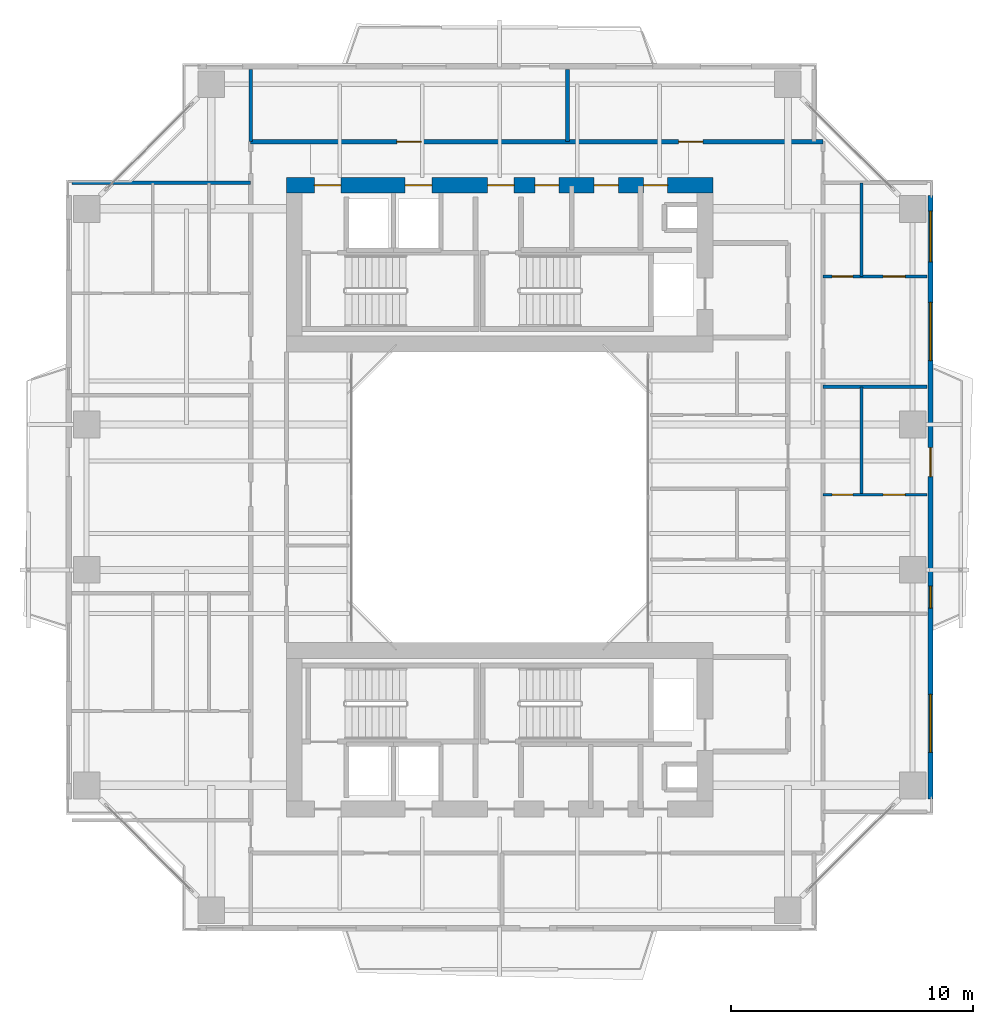
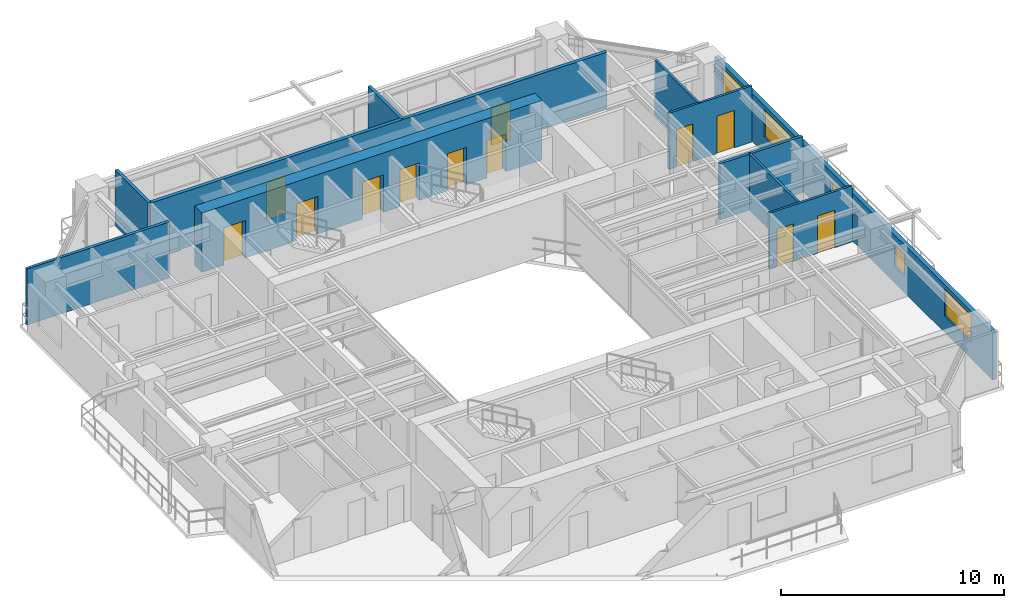
# One storey, part 13 of 17: 13 doors, 11 walls, 4 windows, 17 openings.
"""IFC4 building model written with IfcOpenShell, lengths in metres."""

from ifc_helpers import new_model, si_unit, direction, frame, frame_2d, origin, place, context, subcontext, project, spatial, rectangle, extrude, source, transform, mapped, material, layer, layer_set, type_object, element, fill, save


model = new_model("IFC4")

# Units and contexts
model_context = context("Model", 3, precision=1e-05, world=origin(), true_north=direction((0.0, 1.0)))
body_context = subcontext(model_context, "Body", "Model", "MODEL_VIEW")
ifc_project = project(units=[si_unit("LENGTHUNIT", "METRE"), si_unit("AREAUNIT", "SQUARE_METRE"), si_unit("VOLUMEUNIT", "CUBIC_METRE"), si_unit("PLANEANGLEUNIT", "RADIAN"), si_unit("MASSUNIT", "GRAM", prefix="KILO"), si_unit("THERMODYNAMICTEMPERATUREUNIT", "KELVIN"), si_unit("POWERUNIT", "WATT")], contexts=[model_context])

# Site, building, storey
site_placement = place(None, origin())
site = spatial("IfcSite", under=ifc_project, at=site_placement, CompositionType="ELEMENT")
building_placement = place(site_placement, origin())
building = spatial("IfcBuilding", under=site, at=building_placement, Name="Qiaomeng Ring Towers", CompositionType="ELEMENT")
storey_placement = place(building_placement, frame((0.0, 0.0, 129.5)))
storey = spatial("IfcBuildingStorey", under=building, at=storey_placement, Name="L37", CompositionType="ELEMENT", Elevation=129.5)

# Wall, openings, windows, door
ifc_material_1 = material(Name="Precast concrete C40", Category="concrete")
ifc_layer_1 = layer(ifc_material_1, 0.219970703125, Name="Precast concrete C40")
ifc_layer_set_1 = layer_set([ifc_layer_1], Name="Precast concrete C40")
wall_type_1 = type_object("IfcWallType", Name="ARC-WL-EW2", PredefinedType="STANDARD", material=ifc_layer_set_1)
wall_1_placement = place(storey_placement, frame((36.7900390625, 10.550048828125, 0.0), z_axis=(0.0, 0.0, 1.0), x_axis=(0.0, 1.0, 0.0)))
wall_1 = element("IfcWall", 1, at=wall_1_placement, inside=storey, type_object=wall_type_1, Name="L37 Tower 1 E Exterior Wall", PredefinedType="STANDARD", context=body_context, shape_type="SweptSolid", body=[
    extrude(rectangle(XDim=24.89990234375, YDim=0.219970703125, at=frame_2d((12.449951171875, 0.0))), origin(), (0.0, 0.0, 1.0), 2.610107421875),
])
opening_1_placement = place(wall_1_placement, frame((13.300048828125, 0.0, 0.0)))
opening_1 = element("IfcOpeningElement", 2, at=opening_1_placement, cuts=wall_1, Name="Opening BD1", PredefinedType="OPENING", context=body_context, shape_type="SweptSolid", body=[
    extrude(rectangle(XDim=1.199951171875, YDim=2.10009765625, at=frame_2d((0.60009765625, 1.050048828125))), frame((0.0, 0.119873046875, 0.0), z_axis=(0.0, -1.0, 0.0), x_axis=(1.0, 0.0, 0.0)), (0.0, 0.0, 1.0), 0.239990234375),
])
opening_2_placement = place(wall_1_placement, frame((1.912109375, 0.0, 0.89990234375)))
opening_2 = element("IfcOpeningElement", 3, at=opening_2_placement, cuts=wall_1, Name="Opening WN6", PredefinedType="OPENING", context=body_context, shape_type="SweptSolid", body=[
    extrude(rectangle(XDim=2.39990234375, YDim=1.47998046875, at=frame_2d((1.199951171875, 0.739990234375))), frame((0.0, 0.119873046875, 0.0), z_axis=(0.0, -1.0, 0.0), x_axis=(1.0, 0.0, 0.0)), (0.0, 0.0, 1.0), 0.239990234375),
])
opening_3_placement = place(wall_1_placement, frame((22.1650390625, 0.0, 0.89990234375)))
opening_3 = element("IfcOpeningElement", 4, at=opening_3_placement, cuts=wall_1, Name="Opening WN4", PredefinedType="OPENING", context=body_context, shape_type="SweptSolid", body=[
    extrude(rectangle(XDim=2.10009765625, YDim=1.5, at=frame_2d((1.050048828125, 0.75))), frame((0.0, 0.119873046875, 0.0), z_axis=(0.0, -1.0, 0.0), x_axis=(1.0, 0.0, 0.0)), (0.0, 0.0, 1.0), 0.239990234375),
])
opening_4_placement = place(wall_1_placement, frame((18.092529296875, 0.0, 0.89990234375)))
opening_4 = element("IfcOpeningElement", 5, at=opening_4_placement, cuts=wall_1, Name="Opening WN6", PredefinedType="OPENING", context=body_context, shape_type="SweptSolid", body=[
    extrude(rectangle(XDim=2.39990234375, YDim=1.5, at=frame_2d((1.199951171875, 0.75))), frame((0.0, 0.119873046875, 0.0), z_axis=(0.0, -1.0, 0.0), x_axis=(1.0, 0.0, 0.0)), (0.0, 0.0, 1.0), 0.239990234375),
])
opening_5_placement = place(wall_1_placement, frame((7.875, 0.0, 0.89990234375)))
opening_5 = element("IfcOpeningElement", 6, at=opening_5_placement, cuts=wall_1, Name="Opening WN5", PredefinedType="OPENING", context=body_context, shape_type="SweptSolid", body=[
    extrude(rectangle(XDim=0.89990234375, YDim=1.199951171875, at=frame_2d((0.449951171875, 0.60009765625))), frame((0.0, 0.119873046875, 0.0), z_axis=(0.0, -1.0, 0.0), x_axis=(1.0, 0.0, 0.0)), (0.0, 0.0, 1.0), 0.239990234375),
])
ifc_material_2 = material(Name="Low-E dark-grey laminated double glazing", Category="glass")
window_type_1 = type_object("IfcWindowType", Name="ARC-WN-4", PartitioningType="TRIPLE_PANEL_VERTICAL", PredefinedType="WINDOW", material=ifc_material_2)
shared_shape_1 = source(origin(), body_context, "Body", "SweptSolid", [
    extrude(rectangle(XDim=2.10009765625, YDim=1.5, at=frame_2d((1.050048828125, 0.75))), frame((0.0, 0.030029296875, 0.0), z_axis=(0.0, -1.0, 0.0), x_axis=(1.0, 0.0, 0.0)), (0.0, 0.0, 1.0), 0.06005859375),
])
window_1_placement = place(opening_3_placement, origin())
window_1 = element("IfcWindow", 7, at=window_1_placement, inside=storey, type_object=window_type_1, Name="L37 Exterior Window WN4", OverallHeight=1.5, OverallWidth=2.10009765625, PartitioningType="TRIPLE_PANEL_VERTICAL", PredefinedType="WINDOW", context=body_context, shape_type="MappedRepresentation", body=[
    mapped(shared_shape_1, transform((0.0, 0.0, 0.0), x_axis=(1.0, 0.0, 0.0), y_axis=(0.0, 1.0, 0.0), z_axis=(0.0, 0.0, 1.0), scale=1.0)),
])
fill(opening_3, window_1)
window_type_2 = type_object("IfcWindowType", Name="ARC-WN-6", PartitioningType="TRIPLE_PANEL_VERTICAL", PredefinedType="WINDOW", material=ifc_material_2)
shared_shape_2 = source(origin(), body_context, "Body", "SweptSolid", [
    extrude(rectangle(XDim=2.39990234375, YDim=1.47998046875, at=frame_2d((1.199951171875, 0.739990234375))), frame((0.0, 0.030029296875, 0.0), z_axis=(0.0, -1.0, 0.0), x_axis=(1.0, 0.0, 0.0)), (0.0, 0.0, 1.0), 0.06005859375),
])
window_2_placement = place(opening_2_placement, origin())
window_2 = element("IfcWindow", 8, at=window_2_placement, inside=storey, type_object=window_type_2, Name="L37 Exterior Window WN6", OverallHeight=1.47998046875, OverallWidth=2.39990234375, PartitioningType="TRIPLE_PANEL_VERTICAL", PredefinedType="WINDOW", context=body_context, shape_type="MappedRepresentation", body=[
    mapped(shared_shape_2, transform((0.0, 0.0, 0.0), x_axis=(1.0, 0.0, 0.0), y_axis=(0.0, 1.0, 0.0), z_axis=(0.0, 0.0, 1.0), scale=1.0)),
])
fill(opening_2, window_2)
door_type_1 = type_object("IfcDoorType", Name="ARC-DR-BD1", OperationType="NOTDEFINED", PredefinedType="DOOR", material=ifc_material_2)
shared_shape_3 = source(origin(), body_context, "Body", "SweptSolid", [
    extrude(rectangle(XDim=1.199951171875, YDim=2.10009765625, at=frame_2d((0.60009765625, 1.050048828125))), frame((0.0, 0.02490234375, 0.0), z_axis=(0.0, -1.0, 0.0), x_axis=(1.0, 0.0, 0.0)), (0.0, 0.0, 1.0), 0.050048828125),
])
door_1_placement = place(opening_1_placement, origin())
door_1 = element("IfcDoor", 9, at=door_1_placement, inside=storey, type_object=door_type_1, Name="L37 E Balcony Glazed Door", OperationType="SINGLE_SWING_LEFT", OverallHeight=2.10009765625, OverallWidth=1.199951171875, PredefinedType="DOOR", context=body_context, shape_type="MappedRepresentation", body=[
    mapped(shared_shape_3, transform((0.0, 0.0, 0.0), x_axis=(1.0, 0.0, 0.0), y_axis=(0.0, 1.0, 0.0), z_axis=(0.0, 0.0, 1.0), scale=1.0)),
])
fill(opening_1, door_1)
shared_shape_4 = source(origin(), body_context, "Body", "SweptSolid", [
    extrude(rectangle(XDim=2.39990234375, YDim=1.5, at=frame_2d((1.199951171875, 0.75))), frame((0.0, 0.030029296875, 0.0), z_axis=(0.0, -1.0, 0.0), x_axis=(1.0, 0.0, 0.0)), (0.0, 0.0, 1.0), 0.06005859375),
])
window_3_placement = place(opening_4_placement, origin())
window_3 = element("IfcWindow", 10, at=window_3_placement, inside=storey, type_object=window_type_2, Name="L37 Exterior Window WN6", OverallHeight=1.5, OverallWidth=2.39990234375, PartitioningType="TRIPLE_PANEL_VERTICAL", PredefinedType="WINDOW", context=body_context, shape_type="MappedRepresentation", body=[
    mapped(shared_shape_4, transform((0.0, 0.0, 0.0), x_axis=(1.0, 0.0, 0.0), y_axis=(0.0, 1.0, 0.0), z_axis=(0.0, 0.0, 1.0), scale=1.0)),
])
fill(opening_4, window_3)
window_type_3 = type_object("IfcWindowType", Name="ARC-WN-5", PartitioningType="SINGLE_PANEL", PredefinedType="WINDOW", material=ifc_material_2)
shared_shape_5 = source(origin(), body_context, "Body", "SweptSolid", [
    extrude(rectangle(XDim=0.89990234375, YDim=1.199951171875, at=frame_2d((0.449951171875, 0.60009765625))), frame((0.0, 0.030029296875, 0.0), z_axis=(0.0, -1.0, 0.0), x_axis=(1.0, 0.0, 0.0)), (0.0, 0.0, 1.0), 0.06005859375),
])
window_4_placement = place(opening_5_placement, origin())
window_4 = element("IfcWindow", 11, at=window_4_placement, inside=storey, type_object=window_type_3, Name="L37 Exterior Window WN5", OverallHeight=1.199951171875, OverallWidth=0.89990234375, PartitioningType="SINGLE_PANEL", PredefinedType="WINDOW", context=body_context, shape_type="MappedRepresentation", body=[
    mapped(shared_shape_5, transform((0.0, 0.0, 0.0), x_axis=(1.0, 0.0, 0.0), y_axis=(0.0, 1.0, 0.0), z_axis=(0.0, 0.0, 1.0), scale=1.0)),
])
fill(opening_5, window_4)

# Wall, openings, doors
ifc_material_3 = material(Name="Autoclaved aerated concrete block", Category="concrete")
ifc_layer_2 = layer(ifc_material_3, 0.179931640625, Name="Autoclaved aerated concrete block")
ifc_layer_set_2 = layer_set([ifc_layer_2], Name="Autoclaved aerated concrete block")
wall_type_2 = type_object("IfcWallType", Name="ARC-WL-PW2", PredefinedType="PARTITIONING", material=ifc_layer_set_2)
wall_2_placement = place(storey_placement, frame((8.719970703125, 37.679931640625, 0.0), z_axis=(0.0, 0.0, 1.0), x_axis=(1.0, 0.0, 0.0)))
wall_2 = element("IfcWall", 12, at=wall_2_placement, inside=storey, type_object=wall_type_2, Name="L37 Interior Wall PW2", PredefinedType="PARTITIONING", context=body_context, shape_type="SweptSolid", body=[
    extrude(rectangle(XDim=23.630126953125, YDim=0.179931640625, at=frame_2d((11.81494140625, 0.0))), origin(), (0.0, 0.0, 1.0), 3.070068359375),
])
opening_6_placement = place(wall_2_placement, frame((6.0400390625, 0.0, 0.0)))
opening_6 = element("IfcOpeningElement", 13, at=opening_6_placement, cuts=wall_2, Name="Opening FD4", PredefinedType="OPENING", context=body_context, shape_type="SweptSolid", body=[
    extrude(rectangle(XDim=1.0, YDim=2.050048828125, at=frame_2d((0.5, 1.02490234375))), frame((0.0, 0.099853515625, 0.0), z_axis=(0.0, -1.0, 0.0), x_axis=(1.0, 0.0, 0.0)), (0.0, 0.0, 1.0), 0.199951171875),
])
opening_7_placement = place(wall_2_placement, frame((17.669921875, 0.0, 0.0)))
opening_7 = element("IfcOpeningElement", 14, at=opening_7_placement, cuts=wall_2, Name="Opening FD4", PredefinedType="OPENING", context=body_context, shape_type="SweptSolid", body=[
    extrude(rectangle(XDim=1.0, YDim=2.050048828125, at=frame_2d((0.5, 1.02490234375))), frame((0.0, 0.099853515625, 0.0), z_axis=(0.0, -1.0, 0.0), x_axis=(1.0, 0.0, 0.0)), (0.0, 0.0, 1.0), 0.199951171875),
])
ifc_material_4 = material(Name="Engineered fire-rated oak timber", Category="wood")
door_type_2 = type_object("IfcDoorType", Name="ARC-DR-FD4", OperationType="NOTDEFINED", PredefinedType="DOOR", material=ifc_material_4)
shared_shape_6 = source(origin(), body_context, "Body", "SweptSolid", [
    extrude(rectangle(XDim=1.0, YDim=2.050048828125, at=frame_2d((0.5, 1.02490234375))), frame((0.0, 0.02490234375, 0.0), z_axis=(0.0, -1.0, 0.0), x_axis=(1.0, 0.0, 0.0)), (0.0, 0.0, 1.0), 0.050048828125),
])
door_2_placement = place(opening_6_placement, origin())
door_2 = element("IfcDoor", 15, at=door_2_placement, inside=storey, type_object=door_type_2, Name="L37 Door FD4", OperationType="SINGLE_SWING_LEFT", OverallHeight=2.050048828125, OverallWidth=1.0, PredefinedType="DOOR", context=body_context, shape_type="MappedRepresentation", body=[
    mapped(shared_shape_6, transform((0.0, 0.0, 0.0), x_axis=(1.0, 0.0, 0.0), y_axis=(0.0, 1.0, 0.0), z_axis=(0.0, 0.0, 1.0), scale=1.0)),
])
fill(opening_6, door_2)
door_3_placement = place(opening_7_placement, origin())
door_3 = element("IfcDoor", 16, at=door_3_placement, inside=storey, type_object=door_type_2, Name="L37 Door FD4", OperationType="SINGLE_SWING_RIGHT", OverallHeight=2.050048828125, OverallWidth=1.0, PredefinedType="DOOR", context=body_context, shape_type="MappedRepresentation", body=[
    mapped(shared_shape_6, transform((0.0, 0.0, 0.0), x_axis=(1.0, 0.0, 0.0), y_axis=(0.0, 1.0, 0.0), z_axis=(0.0, 0.0, 1.0), scale=1.0)),
])
fill(opening_7, door_3)

# Walls
ifc_material_5 = material(Name="Gypsum fireboard steel-stud partition", Category="steel")
ifc_layer_3 = layer(ifc_material_5, 0.14990234375, Name="Gypsum fireboard steel-stud partition")
ifc_layer_set_3 = layer_set([ifc_layer_3], Name="Gypsum fireboard steel-stud partition")
wall_type_3 = type_object("IfcWallType", Name="ARC-WL-PW3", PredefinedType="PARTITIONING", material=ifc_layer_set_3)
for number, where, z_axis, x_axis, name in (
    (17, (21.800048828125, 37.679931640625, 0.0), (0.0, 0.0, 1.0), (0.0, 1.0, 0.0), "L37 Interior Wall PW3"),
    (18, (8.719970703125, 37.679931640625, 0.0), (0.0, 0.0, 1.0), (0.0, 1.0, 0.0), "L37 Interior Wall PW3"),
):
    element("IfcWall", number, at=place(storey_placement, frame(where, z_axis=z_axis, x_axis=x_axis)), inside=storey, type_object=wall_type_3, Name=name, PredefinedType="PARTITIONING", context=body_context, shape_type="SweptSolid", body=[
        extrude(rectangle(XDim=2.969970703125, YDim=0.14990234375, at=frame_2d((1.48486328125, 0.0))), origin(), (0.0, 0.0, 1.0), 3.070068359375),
    ])
wall_3_placement = place(storey_placement, frame((1.35009765625, 35.97998046875, 0.0), z_axis=(0.0, 0.0, 1.0), x_axis=(1.0, 0.0, 0.0)))
element("IfcWall", 19, at=wall_3_placement, inside=storey, type_object=wall_type_3, Name="L37 Interior Wall PW3", PredefinedType="PARTITIONING", context=body_context, shape_type="SweptSolid", body=[
    extrude(rectangle(XDim=7.369873046875, YDim=0.14990234375, at=frame_2d((3.68505859375, 0.0))), origin(), (0.0, 0.0, 1.0), 3.070068359375),
])
wall_4_placement = place(storey_placement, frame((32.35009765625, 27.56005859375, 0.0), z_axis=(0.0, 0.0, 1.0), x_axis=(1.0, 0.0, 0.0)))
element("IfcWall", 20, at=wall_4_placement, inside=storey, type_object=wall_type_3, Name="L37 Interior Wall PW3", PredefinedType="PARTITIONING", context=body_context, shape_type="SweptSolid", body=[
    extrude(rectangle(XDim=4.2998046875, YDim=0.14990234375, at=frame_2d((2.14990234375, 0.0))), origin(), (0.0, 0.0, 1.0), 3.070068359375),
])

# Wall, openings, doors
ifc_material_6 = material(Name="Moisture-resistant gypsum steel-stud partition", Category="steel")
ifc_layer_4 = layer(ifc_material_6, 0.1201171875, Name="Moisture-resistant gypsum steel-stud partition")
ifc_layer_set_4 = layer_set([ifc_layer_4], Name="Moisture-resistant gypsum steel-stud partition")
wall_type_4 = type_object("IfcWallType", Name="ARC-WL-PW4", PredefinedType="PLUMBINGWALL", material=ifc_layer_set_4)
wall_5_placement = place(storey_placement, frame((32.35009765625, 23.10009765625, 0.0), z_axis=(0.0, 0.0, 1.0), x_axis=(1.0, 0.0, 0.0)))
wall_5 = element("IfcWall", 21, at=wall_5_placement, inside=storey, type_object=wall_type_4, Name="L37 Interior Wall PW4", PredefinedType="PLUMBINGWALL", context=body_context, shape_type="SweptSolid", body=[
    extrude(rectangle(XDim=4.2998046875, YDim=0.1201171875, at=frame_2d((2.14990234375, 0.0))), origin(), (0.0, 0.0, 1.0), 3.070068359375),
])
opening_8_placement = place(wall_5_placement, frame((0.3798828125, 0.0, 0.0)))
opening_8 = element("IfcOpeningElement", 22, at=opening_8_placement, cuts=wall_5, Name="Opening ID2", PredefinedType="OPENING", context=body_context, shape_type="SweptSolid", body=[
    extrude(rectangle(XDim=0.85009765625, YDim=2.050048828125, at=frame_2d((0.425048828125, 1.02490234375))), frame((0.0, 0.070068359375, 0.0), z_axis=(0.0, -1.0, 0.0), x_axis=(1.0, 0.0, 0.0)), (0.0, 0.0, 1.0), 0.14013671875),
])
opening_9_placement = place(wall_5_placement, frame((2.485107421875, 0.0, 0.0)))
opening_9 = element("IfcOpeningElement", 23, at=opening_9_placement, cuts=wall_5, Name="Opening ID1", PredefinedType="OPENING", context=body_context, shape_type="SweptSolid", body=[
    extrude(rectangle(XDim=0.89990234375, YDim=2.050048828125, at=frame_2d((0.449951171875, 1.02490234375))), frame((0.0, 0.070068359375, 0.0), z_axis=(0.0, -1.0, 0.0), x_axis=(1.0, 0.0, 0.0)), (0.0, 0.0, 1.0), 0.14013671875),
])
ifc_material_7 = material(Name="Moisture-resistant engineered timber", Category="wood")
door_type_3 = type_object("IfcDoorType", Name="ARC-DR-ID2", OperationType="NOTDEFINED", PredefinedType="DOOR", material=ifc_material_7)
shared_shape_7 = source(origin(), body_context, "Body", "SweptSolid", [
    extrude(rectangle(XDim=0.85009765625, YDim=2.050048828125, at=frame_2d((0.425048828125, 1.02490234375))), frame((0.0, 0.02490234375, 0.0), z_axis=(0.0, -1.0, 0.0), x_axis=(1.0, 0.0, 0.0)), (0.0, 0.0, 1.0), 0.050048828125),
])
door_4_placement = place(opening_8_placement, origin())
door_4 = element("IfcDoor", 24, at=door_4_placement, inside=storey, type_object=door_type_3, Name="L37 Door ID2", OperationType="SINGLE_SWING_LEFT", OverallHeight=2.050048828125, OverallWidth=0.85009765625, PredefinedType="DOOR", context=body_context, shape_type="MappedRepresentation", body=[
    mapped(shared_shape_7, transform((0.0, 0.0, 0.0), x_axis=(1.0, 0.0, 0.0), y_axis=(0.0, 1.0, 0.0), z_axis=(0.0, 0.0, 1.0), scale=1.0)),
])
fill(opening_8, door_4)
ifc_material_8 = material(Name="Engineered oak timber", Category="wood")
door_type_4 = type_object("IfcDoorType", Name="ARC-DR-ID1", OperationType="NOTDEFINED", PredefinedType="DOOR", material=ifc_material_8)
shared_shape_8 = source(origin(), body_context, "Body", "SweptSolid", [
    extrude(rectangle(XDim=0.89990234375, YDim=2.050048828125, at=frame_2d((0.449951171875, 1.02490234375))), frame((0.0, 0.02490234375, 0.0), z_axis=(0.0, -1.0, 0.0), x_axis=(1.0, 0.0, 0.0)), (0.0, 0.0, 1.0), 0.050048828125),
])
door_5_placement = place(opening_9_placement, origin())
door_5 = element("IfcDoor", 25, at=door_5_placement, inside=storey, type_object=door_type_4, Name="L37 Door ID1", OperationType="SINGLE_SWING_RIGHT", OverallHeight=2.050048828125, OverallWidth=0.89990234375, PredefinedType="DOOR", context=body_context, shape_type="MappedRepresentation", body=[
    mapped(shared_shape_8, transform((0.0, 0.0, 0.0), x_axis=(1.0, 0.0, 0.0), y_axis=(0.0, 1.0, 0.0), z_axis=(0.0, 0.0, 1.0), scale=1.0)),
])
fill(opening_9, door_5)

# Wall
wall_6_placement = place(storey_placement, frame((33.93994140625, 23.10009765625, 0.0), z_axis=(0.0, 0.0, 1.0), x_axis=(0.0, 1.0, 0.0)))
element("IfcWall", 26, at=wall_6_placement, inside=storey, type_object=wall_type_4, Name="L37 Interior Wall PW4", PredefinedType="PLUMBINGWALL", context=body_context, shape_type="SweptSolid", body=[
    extrude(rectangle(XDim=4.4599609375, YDim=0.1201171875, at=frame_2d((2.22998046875, 0.0))), origin(), (0.0, 0.0, 1.0), 3.070068359375),
])

# Wall, openings, doors
wall_7_placement = place(storey_placement, frame((32.35009765625, 32.110107421875, 0.0), z_axis=(0.0, 0.0, 1.0), x_axis=(1.0, 0.0, 0.0)))
wall_7 = element("IfcWall", 27, at=wall_7_placement, inside=storey, type_object=wall_type_4, Name="L37 Interior Wall PW4", PredefinedType="PLUMBINGWALL", context=body_context, shape_type="SweptSolid", body=[
    extrude(rectangle(XDim=4.2998046875, YDim=0.1201171875, at=frame_2d((2.14990234375, 0.0))), origin(), (0.0, 0.0, 1.0), 3.070068359375),
])
opening_10_placement = place(wall_7_placement, frame((0.3798828125, 0.0, 0.0)))
opening_10 = element("IfcOpeningElement", 28, at=opening_10_placement, cuts=wall_7, Name="Opening ID2", PredefinedType="OPENING", context=body_context, shape_type="SweptSolid", body=[
    extrude(rectangle(XDim=0.85009765625, YDim=2.050048828125, at=frame_2d((0.425048828125, 1.02490234375))), frame((0.0, 0.070068359375, 0.0), z_axis=(0.0, -1.0, 0.0), x_axis=(1.0, 0.0, 0.0)), (0.0, 0.0, 1.0), 0.14013671875),
])
opening_11_placement = place(wall_7_placement, frame((2.485107421875, 0.0, 0.0)))
opening_11 = element("IfcOpeningElement", 29, at=opening_11_placement, cuts=wall_7, Name="Opening ID1", PredefinedType="OPENING", context=body_context, shape_type="SweptSolid", body=[
    extrude(rectangle(XDim=0.89990234375, YDim=2.050048828125, at=frame_2d((0.449951171875, 1.02490234375))), frame((0.0, 0.070068359375, 0.0), z_axis=(0.0, -1.0, 0.0), x_axis=(1.0, 0.0, 0.0)), (0.0, 0.0, 1.0), 0.14013671875),
])
door_6_placement = place(opening_10_placement, origin())
door_6 = element("IfcDoor", 30, at=door_6_placement, inside=storey, type_object=door_type_3, Name="L37 Door ID2", OperationType="SINGLE_SWING_RIGHT", OverallHeight=2.050048828125, OverallWidth=0.85009765625, PredefinedType="DOOR", context=body_context, shape_type="MappedRepresentation", body=[
    mapped(shared_shape_7, transform((0.0, 0.0, 0.0), x_axis=(1.0, 0.0, 0.0), y_axis=(0.0, 1.0, 0.0), z_axis=(0.0, 0.0, 1.0), scale=1.0)),
])
fill(opening_10, door_6)
door_7_placement = place(opening_11_placement, origin())
door_7 = element("IfcDoor", 31, at=door_7_placement, inside=storey, type_object=door_type_4, Name="L37 Door ID1", OperationType="SINGLE_SWING_LEFT", OverallHeight=2.050048828125, OverallWidth=0.89990234375, PredefinedType="DOOR", context=body_context, shape_type="MappedRepresentation", body=[
    mapped(shared_shape_8, transform((0.0, 0.0, 0.0), x_axis=(1.0, 0.0, 0.0), y_axis=(0.0, 1.0, 0.0), z_axis=(0.0, 0.0, 1.0), scale=1.0)),
])
fill(opening_11, door_7)

# Wall
wall_8_placement = place(storey_placement, frame((33.93994140625, 32.110107421875, 0.0), z_axis=(0.0, 0.0, 1.0), x_axis=(0.0, 1.0, 0.0)))
element("IfcWall", 32, at=wall_8_placement, inside=storey, type_object=wall_type_4, Name="L37 Interior Wall PW4", PredefinedType="PLUMBINGWALL", context=body_context, shape_type="SweptSolid", body=[
    extrude(rectangle(XDim=3.869873046875, YDim=0.1201171875, at=frame_2d((1.93505859375, 0.0))), origin(), (0.0, 0.0, 1.0), 3.070068359375),
])

# Wall, openings, doors
ifc_material_9 = material(Name="Concrete C55", Category="concrete")
ifc_layer_5 = layer(ifc_material_9, 0.64990234375, Name="Concrete C55")
ifc_layer_set_5 = layer_set([ifc_layer_5], Name="Concrete C55")
wall_type_5 = type_object("IfcWallType", Name="STR-WL-SW2A", PredefinedType="SHEAR", material=ifc_layer_set_5)
wall_9_placement = place(storey_placement, frame((10.199951171875, 35.875, 0.0), z_axis=(0.0, 0.0, 1.0), x_axis=(1.0, 0.0, 0.0)))
wall_9 = element("IfcWall", 33, at=wall_9_placement, inside=storey, type_object=wall_type_5, Name="L37 T1NC north core shear wall", PredefinedType="SHEAR", context=body_context, shape_type="SweptSolid", body=[
    extrude(rectangle(XDim=17.60009765625, YDim=0.64990234375, at=frame_2d((8.800048828125, 0.0))), origin(), (0.0, 0.0, 1.0), 3.25),
])
opening_12_placement = place(wall_9_placement, frame((1.14990234375, 0.0, 0.0)))
opening_12 = element("IfcOpeningElement", 34, at=opening_12_placement, cuts=wall_9, Name="Opening FD3", PredefinedType="OPENING", context=body_context, shape_type="SweptSolid", body=[
    extrude(rectangle(XDim=1.10009765625, YDim=2.050048828125, at=frame_2d((0.550048828125, 1.02490234375))), frame((0.0, 0.3349609375, 0.0), z_axis=(0.0, -1.0, 0.0), x_axis=(1.0, 0.0, 0.0)), (0.0, 0.0, 1.0), 0.669921875),
])
opening_13_placement = place(wall_9_placement, frame((8.300048828125, 0.0, 0.0)))
opening_13 = element("IfcOpeningElement", 35, at=opening_13_placement, cuts=wall_9, Name="Opening FD3", PredefinedType="OPENING", context=body_context, shape_type="SweptSolid", body=[
    extrude(rectangle(XDim=1.10009765625, YDim=2.050048828125, at=frame_2d((0.550048828125, 1.02490234375))), frame((0.0, 0.3349609375, 0.0), z_axis=(0.0, -1.0, 0.0), x_axis=(1.0, 0.0, 0.0)), (0.0, 0.0, 1.0), 0.669921875),
])
opening_14_placement = place(wall_9_placement, frame((4.89990234375, 0.0, 0.0)))
opening_14 = element("IfcOpeningElement", 36, at=opening_14_placement, cuts=wall_9, Name="Opening LD1", PredefinedType="OPENING", context=body_context, shape_type="SweptSolid", body=[
    extrude(rectangle(XDim=1.10009765625, YDim=2.050048828125, at=frame_2d((0.550048828125, 1.02490234375))), frame((0.0, 0.3349609375, 0.0), z_axis=(0.0, -1.0, 0.0), x_axis=(1.0, 0.0, 0.0)), (0.0, 0.0, 1.0), 0.669921875),
])
opening_15_placement = place(wall_9_placement, frame((14.739990234375, 0.0, 0.0)))
opening_15 = element("IfcOpeningElement", 37, at=opening_15_placement, cuts=wall_9, Name="Opening FD1", PredefinedType="OPENING", context=body_context, shape_type="SweptSolid", body=[
    extrude(rectangle(XDim=1.0, YDim=2.050048828125, at=frame_2d((0.5, 1.02490234375))), frame((0.0, 0.3349609375, 0.0), z_axis=(0.0, -1.0, 0.0), x_axis=(1.0, 0.0, 0.0)), (0.0, 0.0, 1.0), 0.669921875),
])
opening_16_placement = place(wall_9_placement, frame((10.25, 0.0, 0.0)))
opening_16 = element("IfcOpeningElement", 38, at=opening_16_placement, cuts=wall_9, Name="Opening FD1", PredefinedType="OPENING", context=body_context, shape_type="SweptSolid", body=[
    extrude(rectangle(XDim=1.0, YDim=2.050048828125, at=frame_2d((0.5, 1.02490234375))), frame((0.0, 0.3349609375, 0.0), z_axis=(0.0, -1.0, 0.0), x_axis=(1.0, 0.0, 0.0)), (0.0, 0.0, 1.0), 0.669921875),
])
opening_17_placement = place(wall_9_placement, frame((12.699951171875, 0.0, 0.0)))
opening_17 = element("IfcOpeningElement", 39, at=opening_17_placement, cuts=wall_9, Name="Opening FD1", PredefinedType="OPENING", context=body_context, shape_type="SweptSolid", body=[
    extrude(rectangle(XDim=1.0, YDim=2.050048828125, at=frame_2d((0.5, 1.02490234375))), frame((0.0, 0.3349609375, 0.0), z_axis=(0.0, -1.0, 0.0), x_axis=(1.0, 0.0, 0.0)), (0.0, 0.0, 1.0), 0.669921875),
])
ifc_material_10 = material(Name="Galvanised steel", Category="steel")
door_type_5 = type_object("IfcDoorType", Name="ARC-DR-FD3", OperationType="NOTDEFINED", PredefinedType="DOOR", material=ifc_material_10)
shared_shape_9 = source(origin(), body_context, "Body", "SweptSolid", [
    extrude(rectangle(XDim=1.10009765625, YDim=2.050048828125, at=frame_2d((0.550048828125, 1.02490234375))), frame((0.0, 0.02490234375, 0.0), z_axis=(0.0, -1.0, 0.0), x_axis=(1.0, 0.0, 0.0)), (0.0, 0.0, 1.0), 0.050048828125),
])
door_8_placement = place(opening_12_placement, origin())
door_8 = element("IfcDoor", 40, at=door_8_placement, inside=storey, type_object=door_type_5, Name="L37 Stair ST1 Lobby Door", OperationType="SINGLE_SWING_LEFT", OverallHeight=2.050048828125, OverallWidth=1.10009765625, PredefinedType="DOOR", context=body_context, shape_type="MappedRepresentation", body=[
    mapped(shared_shape_9, transform((0.0, 0.0, 0.0), x_axis=(1.0, 0.0, 0.0), y_axis=(0.0, 1.0, 0.0), z_axis=(0.0, 0.0, 1.0), scale=1.0)),
])
fill(opening_12, door_8)
door_9_placement = place(opening_13_placement, origin())
door_9 = element("IfcDoor", 41, at=door_9_placement, inside=storey, type_object=door_type_5, Name="L37 Stair ST2 Lobby Door", OperationType="SINGLE_SWING_LEFT", OverallHeight=2.050048828125, OverallWidth=1.10009765625, PredefinedType="DOOR", context=body_context, shape_type="MappedRepresentation", body=[
    mapped(shared_shape_9, transform((0.0, 0.0, 0.0), x_axis=(1.0, 0.0, 0.0), y_axis=(0.0, 1.0, 0.0), z_axis=(0.0, 0.0, 1.0), scale=1.0)),
])
fill(opening_13, door_9)
ifc_material_11 = material(Name="Stainless steel 316", Category="steel")
door_type_6 = type_object("IfcDoorType", Name="ARC-DR-LD1", OperationType="NOTDEFINED", PredefinedType="DOOR", material=ifc_material_11)
door_10_placement = place(opening_14_placement, origin())
door_10 = element("IfcDoor", 42, at=door_10_placement, inside=storey, type_object=door_type_6, Name="L37 Mid-Zone Lift LP3 Landing Door", OperationType="SLIDING_TO_LEFT", OverallHeight=2.050048828125, OverallWidth=1.10009765625, PredefinedType="DOOR", context=body_context, shape_type="MappedRepresentation", body=[
    mapped(shared_shape_9, transform((0.0, 0.0, 0.0), x_axis=(1.0, 0.0, 0.0), y_axis=(0.0, 1.0, 0.0), z_axis=(0.0, 0.0, 1.0), scale=1.0)),
])
fill(opening_14, door_10)
door_type_7 = type_object("IfcDoorType", Name="ARC-DR-FD1", OperationType="NOTDEFINED", PredefinedType="DOOR", material=ifc_material_10)
door_11_placement = place(opening_15_placement, origin())
door_11 = element("IfcDoor", 43, at=door_11_placement, inside=storey, type_object=door_type_7, Name="L37 North Electrical Riser Door", OperationType="SINGLE_SWING_LEFT", OverallHeight=2.050048828125, OverallWidth=1.0, PredefinedType="DOOR", context=body_context, shape_type="MappedRepresentation", body=[
    mapped(shared_shape_6, transform((0.0, 0.0, 0.0), x_axis=(1.0, 0.0, 0.0), y_axis=(0.0, 1.0, 0.0), z_axis=(0.0, 0.0, 1.0), scale=1.0)),
])
fill(opening_15, door_11)
door_12_placement = place(opening_16_placement, origin())
door_12 = element("IfcDoor", 44, at=door_12_placement, inside=storey, type_object=door_type_7, Name="L37 North Cleaners Store Door", OperationType="SINGLE_SWING_LEFT", OverallHeight=2.050048828125, OverallWidth=1.0, PredefinedType="DOOR", context=body_context, shape_type="MappedRepresentation", body=[
    mapped(shared_shape_6, transform((0.0, 0.0, 0.0), x_axis=(1.0, 0.0, 0.0), y_axis=(0.0, 1.0, 0.0), z_axis=(0.0, 0.0, 1.0), scale=1.0)),
])
fill(opening_16, door_12)
door_13_placement = place(opening_17_placement, origin())
door_13 = element("IfcDoor", 45, at=door_13_placement, inside=storey, type_object=door_type_7, Name="L37 North Facilities Management Office Door", OperationType="SINGLE_SWING_RIGHT", OverallHeight=2.050048828125, OverallWidth=1.0, PredefinedType="DOOR", context=body_context, shape_type="MappedRepresentation", body=[
    mapped(shared_shape_6, transform((0.0, 0.0, 0.0), x_axis=(1.0, 0.0, 0.0), y_axis=(0.0, 1.0, 0.0), z_axis=(0.0, 0.0, 1.0), scale=1.0)),
])
fill(opening_17, door_13)

save(model, "model.ifc")
